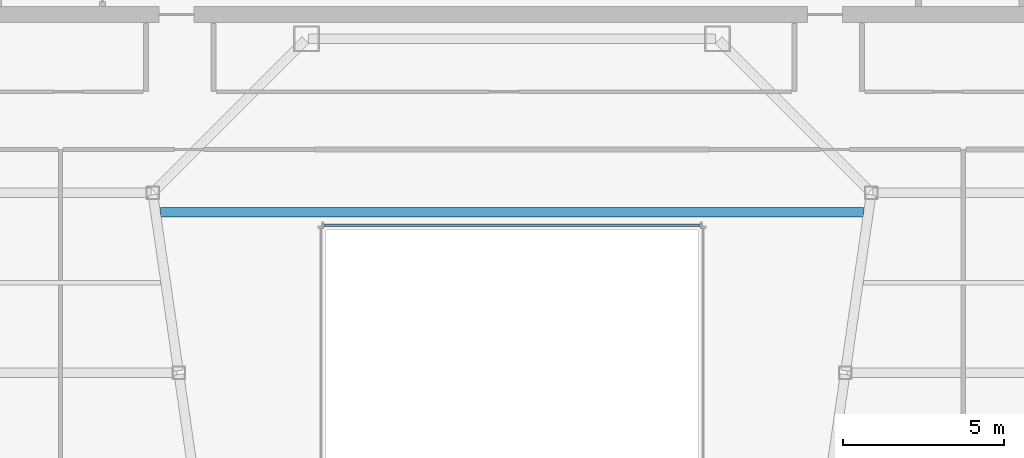
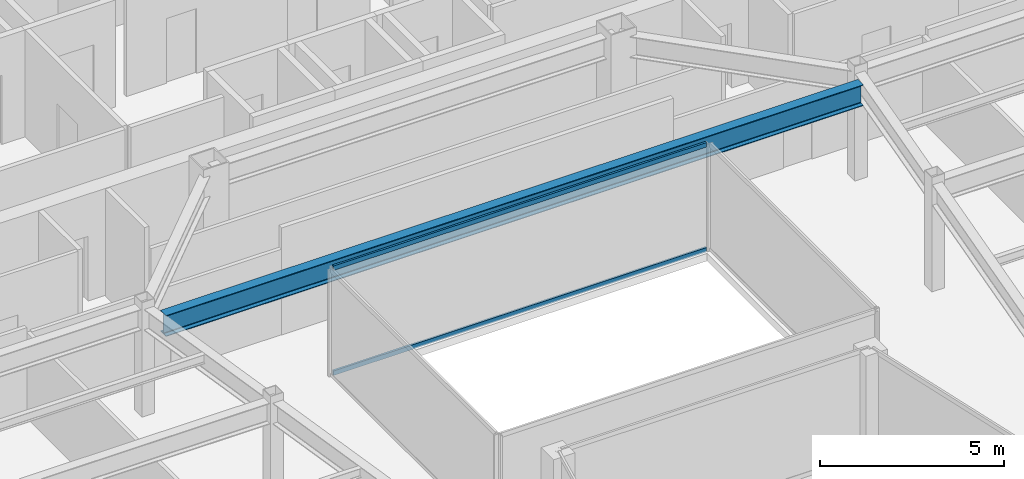
# One storey, part 14 of 35: 2 members, 1 beam, 1 element without a shape of its own.
"""IFC4 building model written with IfcOpenShell, lengths in metres."""

from ifc_helpers import new_model, si_unit, direction, frame, origin, origin_2d, place, context, subcontext, project, spatial, hollow_rectangle, i_section, extrude, material, material_profile, profile_set, type_object, element, aggregate, save


model = new_model("IFC4")

# Units and contexts
model_context = context("Model", 3, precision=1e-05, world=origin(), true_north=direction((0.0, 1.0)))
body_context = subcontext(model_context, "Body", "Model", "MODEL_VIEW")
ifc_project = project(units=[si_unit("LENGTHUNIT", "METRE"), si_unit("AREAUNIT", "SQUARE_METRE"), si_unit("VOLUMEUNIT", "CUBIC_METRE"), si_unit("PLANEANGLEUNIT", "RADIAN"), si_unit("MASSUNIT", "GRAM", prefix="KILO")], contexts=[model_context])

# Site, building, storey
site_placement = place(None, origin())
site = spatial("IfcSite", under=ifc_project, at=site_placement, CompositionType="ELEMENT")
building_placement = place(site_placement, origin())
building = spatial("IfcBuilding", under=site, at=building_placement, Name="Saevonmaru Cultural Tower", CompositionType="ELEMENT")
storey_placement = place(building_placement, frame((0.0, 0.0, 213.199951171875)))
storey = spatial("IfcBuildingStorey", under=building, at=storey_placement, Name="L49", CompositionType="ELEMENT", Elevation=213.199951171875)

# Beam
ifc_material_1 = material(Name="Steel SM355", Category="steel")
ifc_material_profile_1 = material_profile(ifc_material_1, i_section(OverallWidth=0.300048828125, OverallDepth=0.699951171875, WebThickness=0.012939453125, FlangeThickness=0.02392578125, FilletRadius=0.02587890625, at=origin_2d()), Name="H-700x300x13x24")
ifc_profile_set_1 = profile_set([ifc_material_profile_1], Name="Steel SM355")
beam_type = type_object("IfcBeamType", Name="BM-G-H700", PredefinedType="BEAM", material=ifc_profile_set_1)
beam_placement = place(storey_placement, frame((19.052734375, 37.0, 3.199951171875), z_axis=(1.0, 0.0, 0.0), x_axis=(0.0, 1.0, 0.0)))
element("IfcBeam", 1, at=beam_placement, inside=storey, type_object=beam_type, Name="L49 Central Link Girder", PredefinedType="BEAM", context=body_context, shape_type="SweptSolid", body=[
    extrude(i_section(OverallWidth=0.300048828125, OverallDepth=0.699951171875, WebThickness=0.012939453125, FlangeThickness=0.02392578125, FilletRadius=0.02587890625, at=origin_2d()), origin(), (0.0, 0.0, 1.0), 21.89453125),
])

# Curtain wall, members
ifc_material_2 = material(Name="Satin Bronze Anodised Aluminium", Category="aluminium")
curtain_wall_type = type_object("IfcCurtainWallType", Name="CW-ATR-GLZ", PredefinedType="NOTDEFINED", material=ifc_material_2)
curtain_wall_placement = place(storey_placement, origin())
curtain_wall = element("IfcCurtainWall", 2, at=curtain_wall_placement, inside=storey, type_object=curtain_wall_type, Name="L49 Vertical Atrium Glazed Smoke Screen 3", PredefinedType="NOTDEFINED")
ifc_material_profile_2 = material_profile(ifc_material_2, hollow_rectangle(XDim=0.06494140625, YDim=0.14990234375, WallThickness=0.00390625, at=origin_2d()), Name="ALU-TRAN-150x65x4")
ifc_profile_set_2 = profile_set([ifc_material_profile_2], Name="Satin Bronze Anodised Aluminium")
member_type = type_object("IfcMemberType", Name="TR-CW-INT-150x65", PredefinedType="USERDEFINED", material=ifc_profile_set_2)
member_1_placement = place(storey_placement, frame((35.857421875, 36.590087890625, 0.032470703125), z_axis=(-1.0, 0.0, 0.0), x_axis=(0.0, -1.0, 0.0)))
member_1 = element("IfcMember", 3, at=member_1_placement, type_object=member_type, Name="CW-ATR-L49-3 transom 1.1", ObjectType="TRANSOM", PredefinedType="USERDEFINED", context=body_context, shape_type="SweptSolid", body=[
    extrude(hollow_rectangle(XDim=0.06494140625, YDim=0.14990234375, WallThickness=0.00390625, at=origin_2d()), origin(), (0.0, 0.0, 1.0), 11.71484375),
])
member_2_placement = place(storey_placement, frame((35.857421875, 36.590087890625, 3.517578125), z_axis=(-1.0, 0.0, 0.0), x_axis=(0.0, -1.0, 0.0)))
member_2 = element("IfcMember", 4, at=member_2_placement, type_object=member_type, Name="CW-ATR-L49-3 transom 1.2", ObjectType="TRANSOM", PredefinedType="USERDEFINED", context=body_context, shape_type="SweptSolid", body=[
    extrude(hollow_rectangle(XDim=0.06494140625, YDim=0.14990234375, WallThickness=0.00390625, at=origin_2d()), origin(), (0.0, 0.0, 1.0), 11.71484375),
])
aggregate(curtain_wall, [member_1, member_2])

save(model, "model.ifc")
